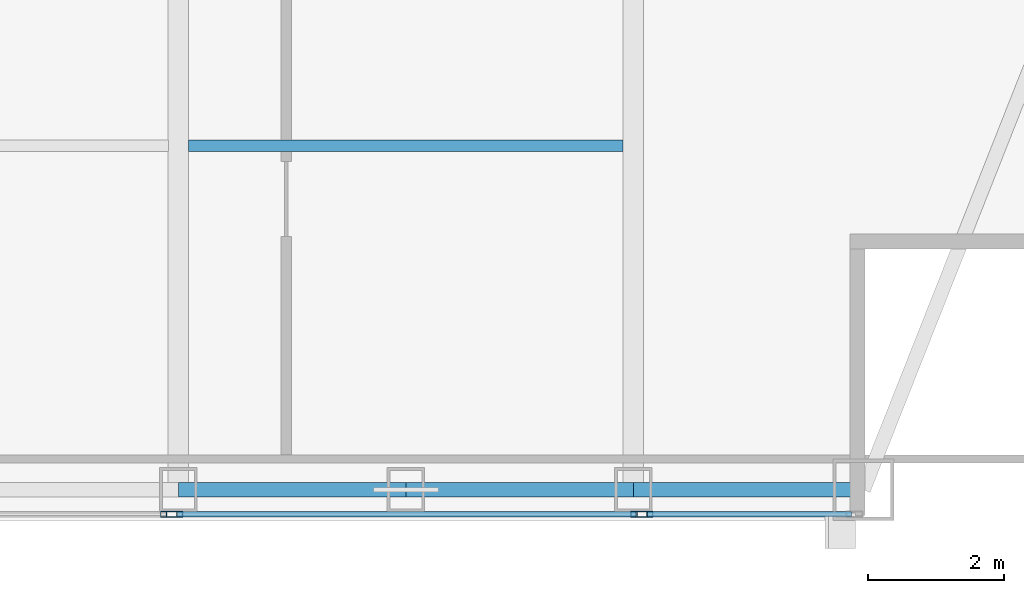
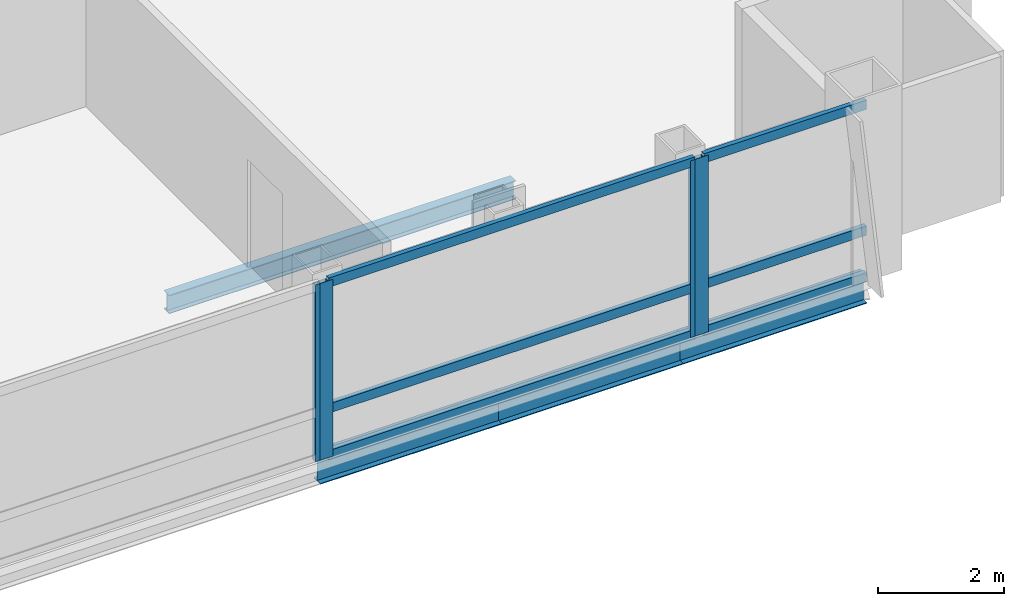
# One storey, part 12 of 27: 10 members, 4 beams, 3 elements without a shape of their own.
"""IFC4 building model written with IfcOpenShell, lengths in metres."""

from ifc_helpers import new_model, si_unit, direction, frame, origin, origin_2d, place, context, subcontext, project, spatial, hollow_rectangle, i_section, extrude, material, material_profile, profile_set, type_object, element, aggregate, save


model = new_model("IFC4")

# Units and contexts
model_context = context("Model", 3, precision=1e-05, world=origin(), true_north=direction((0.0, 1.0)))
body_context = subcontext(model_context, "Body", "Model", "MODEL_VIEW")
ifc_project = project(units=[si_unit("LENGTHUNIT", "METRE"), si_unit("AREAUNIT", "SQUARE_METRE"), si_unit("VOLUMEUNIT", "CUBIC_METRE"), si_unit("PLANEANGLEUNIT", "RADIAN"), si_unit("MASSUNIT", "GRAM", prefix="KILO")], contexts=[model_context])

# Site, building, storey
site_placement = place(None, origin())
site = spatial("IfcSite", under=ifc_project, at=site_placement, CompositionType="ELEMENT")
building_placement = place(site_placement, origin())
building = spatial("IfcBuilding", under=site, at=building_placement, Name="Khoronbel Lancet Exchange", CompositionType="ELEMENT")
storey_placement = place(building_placement, frame((0.0, 0.0, 332.60009765625)))
storey = spatial("IfcBuildingStorey", under=building, at=storey_placement, Name="L86", CompositionType="ELEMENT", Elevation=332.60009765625)

# Beams
ifc_material_1 = material(Name="Steel S355", Category="steel")
ifc_material_profile_1 = material_profile(ifc_material_1, i_section(OverallWidth=0.169921875, OverallDepth=0.360107421875, WebThickness=0.008056640625, FlangeThickness=0.0126953125, at=origin_2d()), Name="IPE 360")
ifc_profile_set_1 = profile_set([ifc_material_profile_1], Name="Steel S355")
beam_type_1 = type_object("IfcBeamType", Name="BM-BJ6", PredefinedType="JOIST", material=ifc_profile_set_1)
beam_1_placement = place(storey_placement, frame((48.14990234375, 15.199951171875, -0.340087890625), z_axis=(1.0, 0.0, 0.0), x_axis=(0.0, 1.0, 0.0)))
element("IfcBeam", 1, at=beam_1_placement, inside=storey, type_object=beam_type_1, Name="Level L86 secondary composite joist J03", PredefinedType="JOIST", context=body_context, shape_type="SweptSolid", body=[
    extrude(i_section(OverallWidth=0.169921875, OverallDepth=0.360107421875, WebThickness=0.008056640625, FlangeThickness=0.0126953125, at=origin_2d()), origin(), (0.0, 0.0, 1.0), 6.375),
])
ifc_material_profile_2 = material_profile(ifc_material_1, i_section(OverallWidth=0.2099609375, OverallDepth=0.550048828125, WebThickness=0.010986328125, FlangeThickness=0.01708984375, at=origin_2d()), Name="IPE 550")
ifc_profile_set_2 = profile_set([ifc_material_profile_2], Name="Steel S355")
beam_type_2 = type_object("IfcBeamType", Name="BM-BSP3", PredefinedType="SPANDREL", material=ifc_profile_set_2)
beam_2_placement = place(storey_placement, frame((48.0, 10.14990234375, -0.43505859375), z_axis=(1.0, 0.0, 0.0), x_axis=(0.0, 1.0, 0.0)))
element("IfcBeam", 2, at=beam_2_placement, inside=storey, type_object=beam_type_2, Name="Level L86 perimeter spandrel beam SP05", PredefinedType="SPANDREL", context=body_context, shape_type="SweptSolid", body=[
    extrude(i_section(OverallWidth=0.2099609375, OverallDepth=0.550048828125, WebThickness=0.010986328125, FlangeThickness=0.01708984375, at=origin_2d()), origin(), (0.0, 0.0, 1.0), 3.33740234375),
])
beam_3_placement = place(storey_placement, frame((51.33740234375, 10.14990234375, -0.43505859375), z_axis=(1.0, 0.0, 0.0), x_axis=(0.0, 1.0, 0.0)))
element("IfcBeam", 3, at=beam_3_placement, inside=storey, type_object=beam_type_2, Name="Level L86 perimeter spandrel beam SP06", PredefinedType="SPANDREL", context=body_context, shape_type="SweptSolid", body=[
    extrude(i_section(OverallWidth=0.2099609375, OverallDepth=0.550048828125, WebThickness=0.010986328125, FlangeThickness=0.01708984375, at=origin_2d()), origin(), (0.0, 0.0, 1.0), 3.337646484375),
])
beam_4_placement = place(storey_placement, frame((54.675048828125, 10.14990234375, -0.43505859375), z_axis=(1.0, 0.0, 0.0), x_axis=(0.0, 1.0, 0.0)))
element("IfcBeam", 4, at=beam_4_placement, inside=storey, type_object=beam_type_2, Name="Level L86 perimeter spandrel beam SP07", PredefinedType="SPANDREL", context=body_context, shape_type="SweptSolid", body=[
    extrude(i_section(OverallWidth=0.2099609375, OverallDepth=0.550048828125, WebThickness=0.010986328125, FlangeThickness=0.01708984375, at=origin_2d()), origin(), (0.0, 0.0, 1.0), 3.375),
])

# Curtain wall, member
ifc_material_2 = material(Name="Low-E Solar Control Insulating Glass", Category="glass")
curtain_wall_type = type_object("IfcCurtainWallType", Name="CW-3", PredefinedType="NOTDEFINED", material=ifc_material_2)
curtain_wall_1_placement = place(storey_placement, origin())
curtain_wall_1 = element("IfcCurtainWall", 5, at=curtain_wall_1_placement, inside=storey, type_object=curtain_wall_type, Name="Unitised curtain wall CW-L86-SCV", PredefinedType="NOTDEFINED")
ifc_material_3 = material(Name="Bronze-Anodised Aluminium 6063-T6", Category="aluminium")
ifc_material_profile_3 = material_profile(ifc_material_3, hollow_rectangle(XDim=0.0849609375, YDim=0.239990234375, WallThickness=0.006103515625, at=origin_2d()), Name="ALU MULLION 85x240")
ifc_profile_set_3 = profile_set([ifc_material_profile_3], Name="Bronze-Anodised Aluminium 6063-T6")
member_type_1 = type_object("IfcMemberType", Name="MEM-CWM1", PredefinedType="MULLION", material=ifc_profile_set_3)
member_1_placement = place(storey_placement, frame((47.857421875, 9.7900390625, 0.0), z_axis=(0.0, 0.0, 1.0), x_axis=(0.0, 1.0, 0.0)))
member_1 = element("IfcMember", 6, at=member_1_placement, type_object=member_type_1, Name="CW3 mullion 3", PredefinedType="MULLION", context=body_context, shape_type="SweptSolid", body=[
    extrude(hollow_rectangle(XDim=0.0849609375, YDim=0.239990234375, WallThickness=0.006103515625, at=origin_2d()), origin(), (0.0, 0.0, 1.0), 3.43994140625),
])
aggregate(curtain_wall_1, [member_1])

# Curtain wall, members
curtain_wall_2_placement = place(storey_placement, origin())
curtain_wall_2 = element("IfcCurtainWall", 7, at=curtain_wall_2_placement, inside=storey, type_object=curtain_wall_type, Name="Unitised curtain wall CW-L86-SEB", PredefinedType="NOTDEFINED")
member_2_placement = place(storey_placement, frame((47.9423828125, 9.7900390625, 0.0), z_axis=(0.0, 0.0, 1.0), x_axis=(0.0, 1.0, 0.0)))
member_2 = element("IfcMember", 8, at=member_2_placement, type_object=member_type_1, Name="CW3 mullion 1", PredefinedType="MULLION", context=body_context, shape_type="SweptSolid", body=[
    extrude(hollow_rectangle(XDim=0.0849609375, YDim=0.239990234375, WallThickness=0.006103515625, at=origin_2d()), origin(), (0.0, 0.0, 1.0), 3.43994140625),
])
member_3_placement = place(storey_placement, frame((54.757568359375, 9.7900390625, 0.0), z_axis=(0.0, 0.0, 1.0), x_axis=(0.0, 1.0, 0.0)))
member_3 = element("IfcMember", 9, at=member_3_placement, type_object=member_type_1, Name="CW3 mullion 2", PredefinedType="MULLION", context=body_context, shape_type="SweptSolid", body=[
    extrude(hollow_rectangle(XDim=0.0849609375, YDim=0.239990234375, WallThickness=0.006103515625, at=origin_2d()), origin(), (0.0, 0.0, 1.0), 3.43994140625),
])

# Curtain wall, member
curtain_wall_3_placement = place(storey_placement, origin())
curtain_wall_3 = element("IfcCurtainWall", 10, at=curtain_wall_3_placement, inside=storey, type_object=curtain_wall_type, Name="Unitised curtain wall CW-L86-SEV", PredefinedType="NOTDEFINED")
member_4_placement = place(storey_placement, frame((54.842529296875, 9.7900390625, 0.0), z_axis=(0.0, 0.0, 1.0), x_axis=(0.0, 1.0, 0.0)))
member_4 = element("IfcMember", 11, at=member_4_placement, type_object=member_type_1, Name="CW3 mullion 1", PredefinedType="MULLION", context=body_context, shape_type="SweptSolid", body=[
    extrude(hollow_rectangle(XDim=0.0849609375, YDim=0.239990234375, WallThickness=0.006103515625, at=origin_2d()), origin(), (0.0, 0.0, 1.0), 3.43994140625),
])

# Member
ifc_material_profile_4 = material_profile(ifc_material_3, hollow_rectangle(XDim=0.0849609375, YDim=0.179931640625, WallThickness=0.0048828125, at=origin_2d()), Name="ALU TRANSOM 85x180")
ifc_profile_set_4 = profile_set([ifc_material_profile_4], Name="Bronze-Anodised Aluminium 6063-T6")
member_type_2 = type_object("IfcMemberType", Name="MEM-CWT1", PredefinedType="USERDEFINED", material=ifc_profile_set_4)
member_5_placement = place(storey_placement, frame((47.985107421875, 9.7900390625, 0.04248046875), z_axis=(1.0, 0.0, 0.0), x_axis=(0.0, 1.0, 0.0)))
member_5 = element("IfcMember", 12, at=member_5_placement, type_object=member_type_2, Name="CW3 transom 1.1", ObjectType="TRANSOM", PredefinedType="USERDEFINED", context=body_context, shape_type="SweptSolid", body=[
    extrude(hollow_rectangle(XDim=0.0849609375, YDim=0.179931640625, WallThickness=0.0048828125, at=origin_2d()), origin(), (0.0, 0.0, 1.0), 6.72998046875),
])

member_6_placement = place(storey_placement, frame((47.985107421875, 9.7900390625, 0.949951171875), z_axis=(1.0, 0.0, 0.0), x_axis=(0.0, 1.0, 0.0)))
member_6 = element("IfcMember", 13, at=member_6_placement, type_object=member_type_2, Name="CW3 transom 1.2", ObjectType="TRANSOM", PredefinedType="USERDEFINED", context=body_context, shape_type="SweptSolid", body=[
    extrude(hollow_rectangle(XDim=0.0849609375, YDim=0.179931640625, WallThickness=0.0048828125, at=origin_2d()), origin(), (0.0, 0.0, 1.0), 6.72998046875),
])

member_7_placement = place(storey_placement, frame((47.985107421875, 9.7900390625, 3.3974609375), z_axis=(1.0, 0.0, 0.0), x_axis=(0.0, 1.0, 0.0)))
member_7 = element("IfcMember", 14, at=member_7_placement, type_object=member_type_2, Name="CW3 transom 1.3", ObjectType="TRANSOM", PredefinedType="USERDEFINED", context=body_context, shape_type="SweptSolid", body=[
    extrude(hollow_rectangle(XDim=0.0849609375, YDim=0.179931640625, WallThickness=0.0048828125, at=origin_2d()), origin(), (0.0, 0.0, 1.0), 6.72998046875),
])

aggregate(curtain_wall_2, [member_2, member_3, member_5, member_6, member_7])

member_8_placement = place(storey_placement, frame((54.885009765625, 9.7900390625, 0.04248046875), z_axis=(1.0, 0.0, 0.0), x_axis=(0.0, 1.0, 0.0)))
member_8 = element("IfcMember", 15, at=member_8_placement, type_object=member_type_2, Name="CW3 transom 1.1", ObjectType="TRANSOM", PredefinedType="USERDEFINED", context=body_context, shape_type="SweptSolid", body=[
    extrude(hollow_rectangle(XDim=0.0849609375, YDim=0.179931640625, WallThickness=0.0048828125, at=origin_2d()), origin(), (0.0, 0.0, 1.0), 2.989990234375),
])

member_9_placement = place(storey_placement, frame((54.885009765625, 9.7900390625, 0.949951171875), z_axis=(1.0, 0.0, 0.0), x_axis=(0.0, 1.0, 0.0)))
member_9 = element("IfcMember", 16, at=member_9_placement, type_object=member_type_2, Name="CW3 transom 1.2", ObjectType="TRANSOM", PredefinedType="USERDEFINED", context=body_context, shape_type="SweptSolid", body=[
    extrude(hollow_rectangle(XDim=0.0849609375, YDim=0.179931640625, WallThickness=0.0048828125, at=origin_2d()), origin(), (0.0, 0.0, 1.0), 2.989990234375),
])

member_10_placement = place(storey_placement, frame((54.885009765625, 9.7900390625, 3.3974609375), z_axis=(1.0, 0.0, 0.0), x_axis=(0.0, 1.0, 0.0)))
member_10 = element("IfcMember", 17, at=member_10_placement, type_object=member_type_2, Name="CW3 transom 1.3", ObjectType="TRANSOM", PredefinedType="USERDEFINED", context=body_context, shape_type="SweptSolid", body=[
    extrude(hollow_rectangle(XDim=0.0849609375, YDim=0.179931640625, WallThickness=0.0048828125, at=origin_2d()), origin(), (0.0, 0.0, 1.0), 2.989990234375),
])

aggregate(curtain_wall_3, [member_4, member_8, member_9, member_10])

save(model, "model.ifc")
